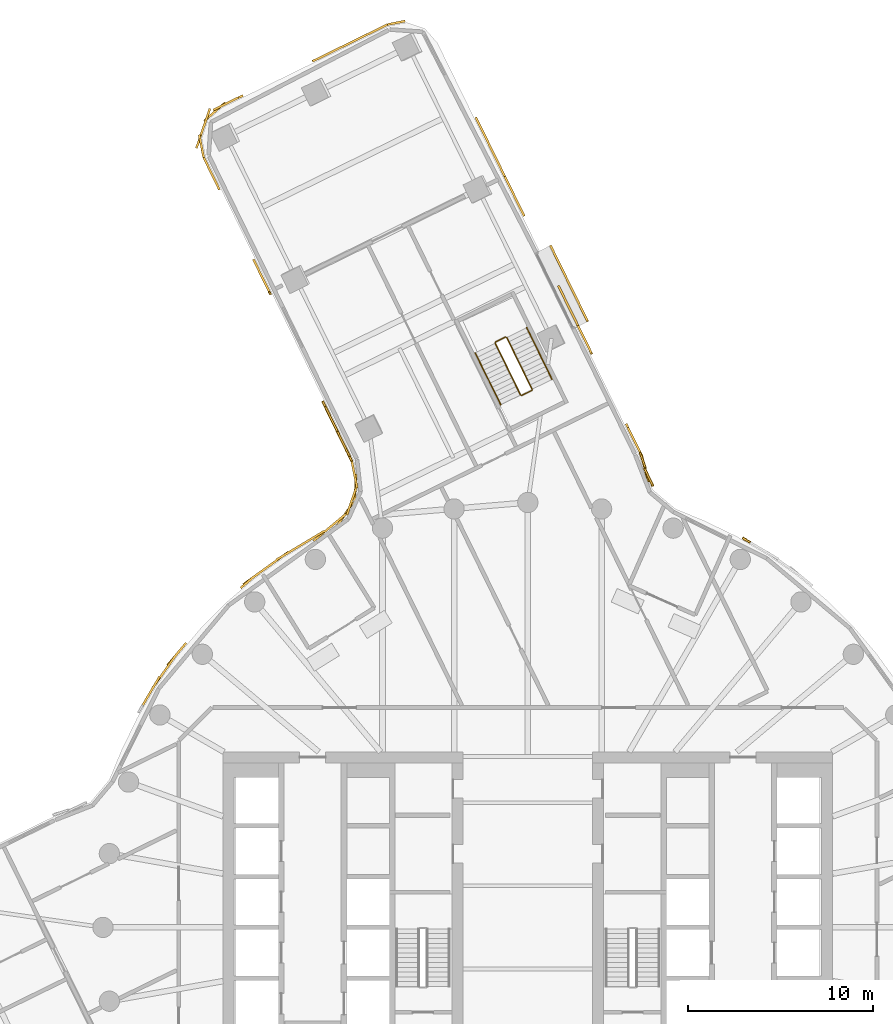
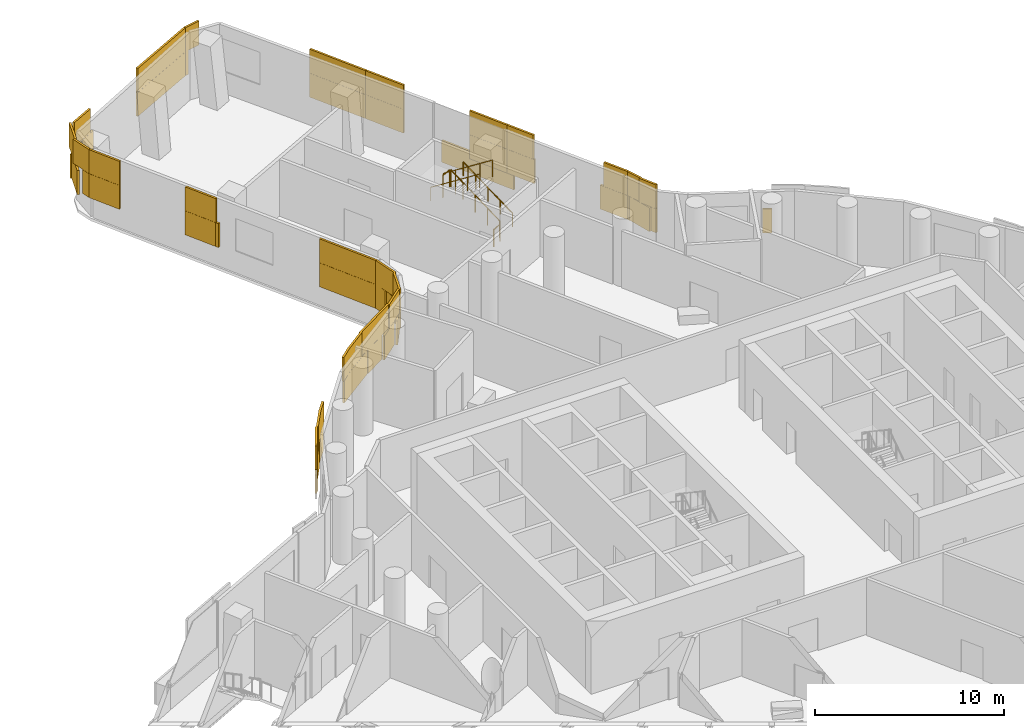
# One storey, part 21 of 23: 8 coverings, 6 railings.
"""IFC4 building model written with IfcOpenShell, lengths in metres."""

from ifc_helpers import new_model, si_unit, direction, frame, origin, origin_2d, place, context, subcontext, project, spatial, rectangle, circle, extrude, material, layer, layer_set, type_object, element, save


model = new_model("IFC4")

# Units and contexts
model_context = context("Model", 3, precision=1e-05, world=origin(), true_north=direction((0.0, 1.0)))
body_context = subcontext(model_context, "Body", "Model", "MODEL_VIEW")
ifc_project = project(units=[si_unit("LENGTHUNIT", "METRE"), si_unit("AREAUNIT", "SQUARE_METRE"), si_unit("VOLUMEUNIT", "CUBIC_METRE"), si_unit("PLANEANGLEUNIT", "RADIAN"), si_unit("MASSUNIT", "GRAM", prefix="KILO")], contexts=[model_context])

# Site, building, storey
site_placement = place(None, origin())
site = spatial("IfcSite", under=ifc_project, at=site_placement, CompositionType="ELEMENT")
building_placement = place(site_placement, origin())
building = spatial("IfcBuilding", under=site, at=building_placement, Name="Tamarind Cross Interchange Tower", CompositionType="ELEMENT")
storey_placement = place(building_placement, frame((0.0, 0.0, 128.5)))
storey = spatial("IfcBuildingStorey", under=building, at=storey_placement, Name="L31", CompositionType="ELEMENT", Elevation=128.5)

# Railings
ifc_material_1 = material(Name="Stair guard")
railing_type_1 = type_object("IfcRailingType", Name="Stair guard", PredefinedType="GUARDRAIL", material=ifc_material_1)
railing_1_placement = place(storey_placement, frame((0.234375, 29.13134765625, 0.173095703125)))
element("IfcRailing", 1, at=railing_1_placement, inside=storey, type_object=railing_type_1, Name="L31 ST4 stair guard 1", PredefinedType="GUARDRAIL", context=body_context, shape_type="SweptSolid", body=[
    extrude(circle(Radius=0.02392578125, at=origin_2d()), frame((0.0, 0.0, 1.076171875), z_axis=(-0.366513465673, 0.747421720028, 0.554101662072), x_axis=(-0.897858865074, -0.440283384207, 0.0)), (0.0, 0.0, 1.0), 3.748291015625),
    extrude(circle(Radius=0.02099609375, at=origin_2d()), origin(), (0.0, 0.0, 1.0), 1.052001953125),
    extrude(circle(Radius=0.02099609375, at=origin_2d()), frame((-0.343505859375, 0.700439453125, 0.519287109375)), (0.0, 0.0, 1.0), 1.052001953125),
    extrude(circle(Radius=0.02099609375, at=origin_2d()), frame((-0.68701171875, 1.40087890625, 1.03857421875)), (0.0, 0.0, 1.0), 1.052001953125),
    extrude(circle(Radius=0.02099609375, at=origin_2d()), frame((-1.0302734375, 2.10107421875, 1.5576171875)), (0.0, 0.0, 1.0), 1.052001953125),
    extrude(circle(Radius=0.02099609375, at=origin_2d()), frame((-1.373779296875, 2.801513671875, 2.076904296875)), (0.0, 0.0, 1.0), 1.052001953125),
])
railing_2_placement = place(storey_placement, frame((-1.206298828125, 31.955810546875, 2.25)))
element("IfcRailing", 2, at=railing_2_placement, inside=storey, type_object=railing_type_1, Name="L31 ST4 stair guard 2", PredefinedType="GUARDRAIL", context=body_context, shape_type="SweptSolid", body=[
    extrude(circle(Radius=0.02392578125, at=origin_2d()), frame((0.0, 0.0, 1.076171875), z_axis=(-0.897819771676, -0.44036309744, 0.0), x_axis=(0.44036309744, -0.897819771676, 0.0)), (0.0, 0.0, 1.0), 0.599853515625),
    extrude(circle(Radius=0.02099609375, at=origin_2d()), origin(), (0.0, 0.0, 1.0), 1.052001953125),
    extrude(circle(Radius=0.02099609375, at=origin_2d()), frame((-0.53857421875, -0.26416015625, 0.0)), (0.0, 0.0, 1.0), 1.052001953125),
])
railing_3_placement = place(storey_placement, frame((-1.767822265625, 31.624755859375, 2.423095703125)))
element("IfcRailing", 3, at=railing_3_placement, inside=storey, type_object=railing_type_1, Name="L31 ST4 stair guard 3", PredefinedType="GUARDRAIL", context=body_context, shape_type="SweptSolid", body=[
    extrude(circle(Radius=0.02392578125, at=origin_2d()), frame((0.0, 0.0, 1.076171875), z_axis=(0.366457078558, -0.747439562114, 0.554114889316), x_axis=(0.897889795051, 0.440220303874, 0.0)), (0.0, 0.0, 1.0), 3.748046875),
    extrude(circle(Radius=0.02099609375, at=origin_2d()), origin(), (0.0, 0.0, 1.0), 1.052001953125),
    extrude(circle(Radius=0.02099609375, at=origin_2d()), frame((0.34326171875, -0.700439453125, 0.519287109375)), (0.0, 0.0, 1.0), 1.052001953125),
    extrude(circle(Radius=0.02099609375, at=origin_2d()), frame((0.686767578125, -1.40087890625, 1.03857421875)), (0.0, 0.0, 1.0), 1.052001953125),
    extrude(circle(Radius=0.02099609375, at=origin_2d()), frame((1.0302734375, -2.10107421875, 1.5576171875)), (0.0, 0.0, 1.0), 1.052001953125),
    extrude(circle(Radius=0.02099609375, at=origin_2d()), frame((1.37353515625, -2.801513671875, 2.076904296875)), (0.0, 0.0, 1.0), 1.052001953125),
])
railing_4_placement = place(storey_placement, frame((0.21142578125, 29.064453125, 0.0)))
element("IfcRailing", 4, at=railing_4_placement, inside=storey, type_object=railing_type_1, Name="L31 ST4 stair guard 4", PredefinedType="GUARDRAIL", context=body_context, shape_type="SweptSolid", body=[
    extrude(circle(Radius=0.02392578125, at=origin_2d()), frame((0.0, 0.0, 1.076171875), z_axis=(-0.897898651784, -0.44020223889, 0.0), x_axis=(0.44020223889, -0.897898651784, 0.0)), (0.0, 0.0, 1.0), 0.60009765625),
    extrude(circle(Radius=0.02099609375, at=origin_2d()), origin(), (0.0, 0.0, 1.0), 1.052001953125),
    extrude(circle(Radius=0.02099609375, at=origin_2d()), frame((-0.538818359375, -0.26416015625, 0.0)), (0.0, 0.0, 1.0), 1.052001953125),
])
ifc_material_2 = material(Name="Stair handrail")
railing_type_2 = type_object("IfcRailingType", Name="Stair handrail", PredefinedType="HANDRAIL", material=ifc_material_2)
railing_5_placement = place(storey_placement, frame((1.311767578125, 29.65966796875, 0.173095703125)))
element("IfcRailing", 5, at=railing_5_placement, inside=storey, type_object=railing_type_2, Name="L31 ST4 stair handrail 1", PredefinedType="HANDRAIL", context=body_context, shape_type="SweptSolid", body=[
    extrude(circle(Radius=0.02392578125, at=origin_2d()), frame((0.0, 0.0, 0.8759765625), z_axis=(-0.366457078558, 0.747439562114, 0.554114889316), x_axis=(-0.897889795051, -0.440220303874, 0.0)), (0.0, 0.0, 1.0), 3.748046875),
    extrude(circle(Radius=0.02099609375, at=origin_2d()), origin(), (0.0, 0.0, 1.0), 0.851806640625),
    extrude(circle(Radius=0.02099609375, at=origin_2d()), frame((-0.34326171875, 0.700439453125, 0.519287109375)), (0.0, 0.0, 1.0), 0.851806640625),
    extrude(circle(Radius=0.02099609375, at=origin_2d()), frame((-0.686767578125, 1.40087890625, 1.03857421875)), (0.0, 0.0, 1.0), 0.851806640625),
    extrude(circle(Radius=0.02099609375, at=origin_2d()), frame((-1.0302734375, 2.10107421875, 1.5576171875)), (0.0, 0.0, 1.0), 0.851806640625),
    extrude(circle(Radius=0.02099609375, at=origin_2d()), frame((-1.37353515625, 2.801513671875, 2.076904296875)), (0.0, 0.0, 1.0), 0.851806640625),
])
railing_6_placement = place(storey_placement, frame((-2.84521484375, 31.096435546875, 2.423095703125)))
element("IfcRailing", 6, at=railing_6_placement, inside=storey, type_object=railing_type_2, Name="L31 ST4 stair handrail 2", PredefinedType="HANDRAIL", context=body_context, shape_type="SweptSolid", body=[
    extrude(circle(Radius=0.02392578125, at=origin_2d()), frame((0.0, 0.0, 0.8759765625), z_axis=(0.366457078558, -0.747439562114, 0.554114889316), x_axis=(0.897889795051, 0.440220303874, 0.0)), (0.0, 0.0, 1.0), 3.748046875),
    extrude(circle(Radius=0.02099609375, at=origin_2d()), origin(), (0.0, 0.0, 1.0), 0.851806640625),
    extrude(circle(Radius=0.02099609375, at=origin_2d()), frame((0.34326171875, -0.700439453125, 0.519287109375)), (0.0, 0.0, 1.0), 0.851806640625),
    extrude(circle(Radius=0.02099609375, at=origin_2d()), frame((0.686767578125, -1.40087890625, 1.03857421875)), (0.0, 0.0, 1.0), 0.851806640625),
    extrude(circle(Radius=0.02099609375, at=origin_2d()), frame((1.0302734375, -2.10107421875, 1.5576171875)), (0.0, 0.0, 1.0), 0.851806640625),
    extrude(circle(Radius=0.02099609375, at=origin_2d()), frame((1.37353515625, -2.801513671875, 2.076904296875)), (0.0, 0.0, 1.0), 0.851806640625),
])

# Coverings
ifc_material_3 = material(Name="Terracotta", Category="masonry")
ifc_layer = layer(ifc_material_3, 0.1201171875)
ifc_layer_set = layer_set([ifc_layer], Name="Terracotta")
covering_type = type_object("IfcCoveringType", Name="Terracotta baguette screen unit", PredefinedType="MOLDING", material=ifc_layer_set)
covering_1_placement = place(storey_placement, origin())
element("IfcCovering", 7, at=covering_1_placement, inside=storey, type_object=covering_type, Name="SCR-L31-10-01", PredefinedType="MOLDING", context=body_context, shape_type="SweptSolid", body=[
    extrude(rectangle(XDim=0.481201171875, YDim=0.1201171875, at=origin_2d()), frame((11.832275390625, 20.960693359375, 1.404052734375), z_axis=(0.0, 0.0, 1.0), x_axis=(-0.861248933065, 0.508183308752, 0.0)), (0.0, 0.0, 1.0), 1.5419921875),
    extrude(rectangle(XDim=0.3271484375, YDim=0.1201171875, at=origin_2d()), frame((6.70361328125, 24.02978515625, 1.404052734375), z_axis=(0.0, 0.0, 1.0), x_axis=(-0.430685201848, 0.902502219891, 0.0)), (0.0, 0.0, 1.0), 1.5419921875),
    extrude(rectangle(XDim=1.52001953125, YDim=0.1201171875, at=origin_2d()), frame((6.33837890625, 24.859375, 1.404052734375), z_axis=(0.0, 0.0, 1.0), x_axis=(-0.252867517288, 0.967500914057, 0.0)), (0.0, 0.0, 1.0), 1.5419921875),
    extrude(rectangle(XDim=0.147216796875, YDim=0.1201171875, at=origin_2d()), frame((6.1005859375, 25.64208984375, 1.404052734375), z_axis=(0.0, 0.0, 1.0), x_axis=(-0.319290123445, 0.947657014468, 0.0)), (0.0, 0.0, 1.0), 1.5419921875),
    extrude(rectangle(XDim=1.0771484375, YDim=0.1201171875, at=origin_2d()), frame((6.5419921875, 24.3681640625, 2.9541015625), z_axis=(0.0, 0.0, 1.0), x_axis=(-0.430685201848, 0.902502219891, 0.0)), (0.0, 0.0, 1.0), 1.5419921875),
    extrude(rectangle(XDim=0.897216796875, YDim=0.1201171875, at=origin_2d()), frame((6.220458984375, 25.286865234375, 2.9541015625), z_axis=(0.0, 0.0, 1.0), x_axis=(-0.319290123445, 0.947657014468, 0.0)), (0.0, 0.0, 1.0), 1.5419921875),
])
covering_2_placement = place(storey_placement, origin())
element("IfcCovering", 8, at=covering_2_placement, inside=storey, type_object=covering_type, Name="SCR-L31-11-00", PredefinedType="MOLDING", context=body_context, shape_type="SweptSolid", body=[
    extrude(rectangle(XDim=0.760009765625, YDim=0.1201171875, at=origin_2d()), frame((5.91357421875, 26.0439453125, 1.404052734375), z_axis=(0.0, 0.0, 1.0), x_axis=(-0.440252613806, 0.897873953312, 0.0)), (0.0, 0.0, 1.0), 1.5419921875),
    extrude(rectangle(XDim=0.983642578125, YDim=0.1201171875, at=origin_2d()), frame((5.5341796875, 26.817626953125, 1.404052734375), z_axis=(0.0, 0.0, 1.0), x_axis=(-0.440252613806, 0.897873953312, 0.0)), (0.0, 0.0, 1.0), 1.5419921875),
    extrude(rectangle(XDim=0.83642578125, YDim=0.1201171875, at=origin_2d()), frame((3.288818359375, 31.396728515625, 1.404052734375), z_axis=(0.0, 0.0, 1.0), x_axis=(-0.440252613806, 0.897873953312, 0.0)), (0.0, 0.0, 1.0), 1.5419921875),
    extrude(rectangle(XDim=0.9072265625, YDim=0.1201171875, at=origin_2d()), frame((2.909423828125, 32.170654296875, 1.404052734375), z_axis=(0.0, 0.0, 1.0), x_axis=(-0.440252613806, 0.897873953312, 0.0)), (0.0, 0.0, 1.0), 1.5419921875),
    extrude(rectangle(XDim=1.510009765625, YDim=0.1201171875, at=origin_2d()), frame((5.74853515625, 26.380615234375, 2.9541015625), z_axis=(0.0, 0.0, 1.0), x_axis=(-0.440252613806, 0.897873953312, 0.0)), (0.0, 0.0, 1.0), 1.5419921875),
    extrude(rectangle(XDim=1.52001953125, YDim=0.1201171875, at=origin_2d()), frame((3.10693359375, 31.767822265625, 2.9541015625), z_axis=(0.0, 0.0, 1.0), x_axis=(-0.440252613806, 0.897873953312, 0.0)), (0.0, 0.0, 1.0), 1.5419921875),
    extrude(rectangle(XDim=0.1572265625, YDim=0.1201171875, at=origin_2d()), frame((2.744384765625, 32.50732421875, 2.9541015625), z_axis=(0.0, 0.0, 1.0), x_axis=(-0.440252613806, 0.897873953312, 0.0)), (0.0, 0.0, 1.0), 1.5419921875),
    extrude(rectangle(XDim=0.040283203125, YDim=0.1201171875, at=origin_2d()), frame((3.2373046875, 32.8056640625, 0.00390625), z_axis=(0.0, 0.0, 1.0), x_axis=(-0.440252613806, 0.897873953312, 0.0)), (0.0, 0.0, 1.0), 1.39208984375),
])
covering_3_placement = place(storey_placement, origin())
element("IfcCovering", 9, at=covering_3_placement, inside=storey, type_object=covering_type, Name="SCR-L31-11-01", PredefinedType="MOLDING", context=body_context, shape_type="SweptSolid", body=[
    extrude(rectangle(XDim=0.61279296875, YDim=0.1201171875, at=origin_2d()), frame((2.579345703125, 32.843994140625, 1.404052734375), z_axis=(0.0, 0.0, 1.0), x_axis=(-0.440252613806, 0.897873953312, 0.0)), (0.0, 0.0, 1.0), 1.5419921875),
    extrude(rectangle(XDim=1.52001953125, YDim=0.1201171875, at=origin_2d()), frame((2.116455078125, 33.7880859375, 1.404052734375), z_axis=(0.0, 0.0, 1.0), x_axis=(-0.440252613806, 0.897873953312, 0.0)), (0.0, 0.0, 1.0), 1.5419921875),
    extrude(rectangle(XDim=0.310546875, YDim=0.1201171875, at=origin_2d()), frame((1.72021484375, 34.59619140625, 1.404052734375), z_axis=(0.0, 0.0, 1.0), x_axis=(-0.440252613806, 0.897873953312, 0.0)), (0.0, 0.0, 1.0), 1.5419921875),
    extrude(rectangle(XDim=1.509521484375, YDim=0.1201171875, at=origin_2d()), frame((-0.525146484375, 39.175537109375, 1.404052734375), z_axis=(0.0, 0.0, 1.0), x_axis=(-0.440252613806, 0.897873953312, 0.0)), (0.0, 0.0, 1.0), 1.5419921875),
    extrude(rectangle(XDim=0.913818359375, YDim=0.1201171875, at=origin_2d()), frame((-1.05419921875, 40.25439453125, 1.404052734375), z_axis=(0.0, 0.0, 1.0), x_axis=(-0.440252613806, 0.897873953312, 0.0)), (0.0, 0.0, 1.0), 1.5419921875),
    extrude(rectangle(XDim=1.36279296875, YDim=0.1201171875, at=origin_2d()), frame((2.414306640625, 33.1806640625, 2.9541015625), z_axis=(0.0, 0.0, 1.0), x_axis=(-0.440252613806, 0.897873953312, 0.0)), (0.0, 0.0, 1.0), 1.5419921875),
    extrude(rectangle(XDim=1.060546875, YDim=0.1201171875, at=origin_2d()), frame((1.88525390625, 34.259521484375, 2.9541015625), z_axis=(0.0, 0.0, 1.0), x_axis=(-0.440252613806, 0.897873953312, 0.0)), (0.0, 0.0, 1.0), 1.5419921875),
    extrude(rectangle(XDim=0.759521484375, YDim=0.1201171875, at=origin_2d()), frame((-0.360107421875, 38.8388671875, 2.9541015625), z_axis=(0.0, 0.0, 1.0), x_axis=(-0.440252613806, 0.897873953312, 0.0)), (0.0, 0.0, 1.0), 1.5419921875),
    extrude(rectangle(XDim=1.52001953125, YDim=0.1201171875, at=origin_2d()), frame((-0.855224609375, 39.8486328125, 2.9541015625), z_axis=(0.0, 0.0, 1.0), x_axis=(-0.440252613806, 0.897873953312, 0.0)), (0.0, 0.0, 1.0), 1.5419921875),
    extrude(rectangle(XDim=0.163818359375, YDim=0.1201171875, at=origin_2d()), frame((-1.21923828125, 40.591064453125, 2.9541015625), z_axis=(0.0, 0.0, 1.0), x_axis=(-0.440252613806, 0.897873953312, 0.0)), (0.0, 0.0, 1.0), 1.5419921875),
    extrude(rectangle(XDim=0.577880859375, YDim=0.1201171875, at=origin_2d()), frame((3.101318359375, 33.0830078125, 0.00390625), z_axis=(0.0, 0.0, 1.0), x_axis=(-0.440252613806, 0.897873953312, 0.0)), (0.0, 0.0, 1.0), 1.39208984375),
    extrude(rectangle(XDim=1.52001953125, YDim=0.1201171875, at=origin_2d()), frame((2.6484375, 34.0068359375, 0.00390625), z_axis=(0.0, 0.0, 1.0), x_axis=(-0.440252613806, 0.897873953312, 0.0)), (0.0, 0.0, 1.0), 1.39208984375),
    extrude(rectangle(XDim=1.52001953125, YDim=0.1201171875, at=origin_2d()), frame((1.988037109375, 35.353759765625, 0.00390625), z_axis=(0.0, 0.0, 1.0), x_axis=(-0.440252613806, 0.897873953312, 0.0)), (0.0, 0.0, 1.0), 1.39208984375),
    extrude(rectangle(XDim=1.00634765625, YDim=0.1201171875, at=origin_2d()), frame((1.440673828125, 36.469970703125, 0.00390625), z_axis=(0.0, 0.0, 1.0), x_axis=(-0.440252613806, 0.897873953312, 0.0)), (0.0, 0.0, 1.0), 1.39208984375),
])
covering_4_placement = place(storey_placement, origin())
element("IfcCovering", 10, at=covering_4_placement, inside=storey, type_object=covering_type, Name="SCR-L31-11-02", PredefinedType="MOLDING", context=body_context, shape_type="SweptSolid", body=[
    extrude(rectangle(XDim=0.606201171875, YDim=0.1201171875, at=origin_2d()), frame((-1.38427734375, 40.927734375, 1.404052734375), z_axis=(0.0, 0.0, 1.0), x_axis=(-0.440252613806, 0.897873953312, 0.0)), (0.0, 0.0, 1.0), 1.5419921875),
    extrude(rectangle(XDim=1.52001953125, YDim=0.1201171875, at=origin_2d()), frame((-1.845947265625, 41.868896484375, 1.404052734375), z_axis=(0.0, 0.0, 1.0), x_axis=(-0.440252613806, 0.897873953312, 0.0)), (0.0, 0.0, 1.0), 1.5419921875),
    extrude(rectangle(XDim=1.469970703125, YDim=0.1201171875, at=origin_2d()), frame((-2.497314453125, 43.19775390625, 1.404052734375), z_axis=(0.0, 0.0, 1.0), x_axis=(-0.440252613806, 0.897873953312, 0.0)), (0.0, 0.0, 1.0), 1.5419921875),
    extrude(rectangle(XDim=0.22607421875, YDim=0.1201171875, at=origin_2d()), frame((-7.488037109375, 48.892333984375, 1.404052734375), z_axis=(0.0, 0.0, 1.0), x_axis=(-0.981225401366, -0.192864490548, 0.0)), (0.0, 0.0, 1.0), 1.5419921875),
    extrude(rectangle(XDim=1.356201171875, YDim=0.1201171875, at=origin_2d()), frame((-1.549560546875, 41.264404296875, 2.9541015625), z_axis=(0.0, 0.0, 1.0), x_axis=(-0.440252613806, 0.897873953312, 0.0)), (0.0, 0.0, 1.0), 1.5419921875),
    extrude(rectangle(XDim=1.52001953125, YDim=0.1201171875, at=origin_2d()), frame((-2.176025390625, 42.542236328125, 2.9541015625), z_axis=(0.0, 0.0, 1.0), x_axis=(-0.440252613806, 0.897873953312, 0.0)), (0.0, 0.0, 1.0), 1.5419921875),
    extrude(rectangle(XDim=0.719970703125, YDim=0.1201171875, at=origin_2d()), frame((-2.662353515625, 43.534423828125, 2.9541015625), z_axis=(0.0, 0.0, 1.0), x_axis=(-0.440252613806, 0.897873953312, 0.0)), (0.0, 0.0, 1.0), 1.5419921875),
    extrude(rectangle(XDim=0.97607421875, YDim=0.1201171875, at=origin_2d()), frame((-7.1201171875, 48.964599609375, 2.9541015625), z_axis=(0.0, 0.0, 1.0), x_axis=(-0.981225401366, -0.192864490548, 0.0)), (0.0, 0.0, 1.0), 1.5419921875),
])
covering_5_placement = place(storey_placement, origin())
element("IfcCovering", 11, at=covering_5_placement, inside=storey, type_object=covering_type, Name="SCR-L31-12-00", PredefinedType="MOLDING", context=body_context, shape_type="SweptSolid", body=[
    extrude(rectangle(XDim=0.760009765625, YDim=0.1201171875, at=origin_2d()), frame((-7.9306640625, 48.70654296875, 1.404052734375), z_axis=(0.0, 0.0, 1.0), x_axis=(-0.897873953312, -0.440252613806, 0.0)), (0.0, 0.0, 1.0), 1.5419921875),
    extrude(rectangle(XDim=1.52001953125, YDim=0.1201171875, at=origin_2d()), frame((-8.940673828125, 48.211181640625, 1.404052734375), z_axis=(0.0, 0.0, 1.0), x_axis=(-0.897873953312, -0.440252613806, 0.0)), (0.0, 0.0, 1.0), 1.5419921875),
    extrude(rectangle(XDim=1.52001953125, YDim=0.1201171875, at=origin_2d()), frame((-10.28759765625, 47.55078125, 1.404052734375), z_axis=(0.0, 0.0, 1.0), x_axis=(-0.897873953312, -0.440252613806, 0.0)), (0.0, 0.0, 1.0), 1.5419921875),
    extrude(rectangle(XDim=0.784912109375, YDim=0.1201171875, at=origin_2d()), frame((-11.308837890625, 47.050048828125, 1.404052734375), z_axis=(0.0, 0.0, 1.0), x_axis=(-0.897873953312, -0.440252613806, 0.0)), (0.0, 0.0, 1.0), 1.5419921875),
    extrude(rectangle(XDim=1.03515625, YDim=0.1201171875, at=origin_2d()), frame((-15.887939453125, 44.8046875, 1.404052734375), z_axis=(0.0, 0.0, 1.0), x_axis=(-0.897873953312, -0.440252613806, 0.0)), (0.0, 0.0, 1.0), 1.5419921875),
    extrude(rectangle(XDim=1.52001953125, YDim=0.1201171875, at=origin_2d()), frame((-16.952880859375, 44.145263671875, 1.404052734375), z_axis=(0.0, 0.0, 1.0), x_axis=(-0.753333879147, -0.657638248986, 0.0)), (0.0, 0.0, 1.0), 1.5419921875),
    extrude(rectangle(XDim=1.52001953125, YDim=0.1201171875, at=origin_2d()), frame((-17.69384765625, 42.897705078125, 1.404052734375), z_axis=(0.0, 0.0, 1.0), x_axis=(-0.32358715238, -0.946198369695, 0.0)), (0.0, 0.0, 1.0), 1.5419921875),
    extrude(rectangle(XDim=0.509521484375, YDim=0.1201171875, at=origin_2d()), frame((-17.59326171875, 41.9228515625, 1.404052734375), z_axis=(0.0, 0.0, 1.0), x_axis=(0.192864490548, -0.981225401366, 0.0)), (0.0, 0.0, 1.0), 1.5419921875),
    extrude(rectangle(XDim=1.510009765625, YDim=0.1201171875, at=origin_2d()), frame((-8.267333984375, 48.541259765625, 2.9541015625), z_axis=(0.0, 0.0, 1.0), x_axis=(-0.897873953312, -0.440252613806, 0.0)), (0.0, 0.0, 1.0), 1.5419921875),
    extrude(rectangle(XDim=1.52001953125, YDim=0.1201171875, at=origin_2d()), frame((-9.6142578125, 47.881103515625, 2.9541015625), z_axis=(0.0, 0.0, 1.0), x_axis=(-0.897873953312, -0.440252613806, 0.0)), (0.0, 0.0, 1.0), 1.5419921875),
    extrude(rectangle(XDim=1.52001953125, YDim=0.1201171875, at=origin_2d()), frame((-10.9609375, 47.220703125, 2.9541015625), z_axis=(0.0, 0.0, 1.0), x_axis=(-0.897873953312, -0.440252613806, 0.0)), (0.0, 0.0, 1.0), 1.5419921875),
    extrude(rectangle(XDim=1.52001953125, YDim=0.1201171875, at=origin_2d()), frame((-16.34814453125, 44.5791015625, 2.9541015625), z_axis=(0.0, 0.0, 1.0), x_axis=(-0.897873953312, -0.440252613806, 0.0)), (0.0, 0.0, 1.0), 1.5419921875),
    extrude(rectangle(XDim=1.52001953125, YDim=0.1201171875, at=origin_2d()), frame((-17.451171875, 43.607421875, 2.9541015625), z_axis=(0.0, 0.0, 1.0), x_axis=(-0.32358715238, -0.946198369695, 0.0)), (0.0, 0.0, 1.0), 1.5419921875),
    extrude(rectangle(XDim=1.259521484375, YDim=0.1201171875, at=origin_2d()), frame((-17.66552734375, 42.291015625, 2.9541015625), z_axis=(0.0, 0.0, 1.0), x_axis=(0.192864490548, -0.981225401366, 0.0)), (0.0, 0.0, 1.0), 1.5419921875),
])
covering_6_placement = place(storey_placement, origin())
element("IfcCovering", 12, at=covering_6_placement, inside=storey, type_object=covering_type, Name="SCR-L31-13-00", PredefinedType="MOLDING", context=body_context, shape_type="SweptSolid", body=[
    extrude(rectangle(XDim=0.760009765625, YDim=0.1201171875, at=origin_2d()), frame((-17.380615234375, 41.3408203125, 1.404052734375), z_axis=(0.0, 0.0, 1.0), x_axis=(0.438582979909, -0.898690697479, 0.0)), (0.0, 0.0, 1.0), 1.5419921875),
    extrude(rectangle(XDim=1.2001953125, YDim=0.1201171875, at=origin_2d()), frame((-16.955078125, 40.468994140625, 1.404052734375), z_axis=(0.0, 0.0, 1.0), x_axis=(0.438582979909, -0.898690697479, 0.0)), (0.0, 0.0, 1.0), 1.5419921875),
    extrude(rectangle(XDim=0.619873046875, YDim=0.1201171875, at=origin_2d()), frame((-14.71826171875, 35.8857421875, 1.404052734375), z_axis=(0.0, 0.0, 1.0), x_axis=(0.438582979909, -0.898690697479, 0.0)), (0.0, 0.0, 1.0), 1.5419921875),
    extrude(rectangle(XDim=1.340576171875, YDim=0.1201171875, at=origin_2d()), frame((-14.292724609375, 35.013916015625, 1.404052734375), z_axis=(0.0, 0.0, 1.0), x_axis=(0.438582979909, -0.898690697479, 0.0)), (0.0, 0.0, 1.0), 1.5419921875),
    extrude(rectangle(XDim=1.510009765625, YDim=0.1201171875, at=origin_2d()), frame((-17.216064453125, 41.00390625, 2.9541015625), z_axis=(0.0, 0.0, 1.0), x_axis=(0.438582979909, -0.898690697479, 0.0)), (0.0, 0.0, 1.0), 1.5419921875),
    extrude(rectangle(XDim=0.4501953125, YDim=0.1201171875, at=origin_2d()), frame((-16.79052734375, 40.132080078125, 2.9541015625), z_axis=(0.0, 0.0, 1.0), x_axis=(0.438582979909, -0.898690697479, 0.0)), (0.0, 0.0, 1.0), 1.5419921875),
    extrude(rectangle(XDim=1.369873046875, YDim=0.1201171875, at=origin_2d()), frame((-14.5537109375, 35.548583984375, 2.9541015625), z_axis=(0.0, 0.0, 1.0), x_axis=(0.438582979909, -0.898690697479, 0.0)), (0.0, 0.0, 1.0), 1.5419921875),
    extrude(rectangle(XDim=0.590576171875, YDim=0.1201171875, at=origin_2d()), frame((-14.12841796875, 34.6767578125, 2.9541015625), z_axis=(0.0, 0.0, 1.0), x_axis=(0.438582979909, -0.898690697479, 0.0)), (0.0, 0.0, 1.0), 1.5419921875),
])
covering_7_placement = place(storey_placement, origin())
element("IfcCovering", 13, at=covering_7_placement, inside=storey, type_object=covering_type, Name="SCR-L31-13-01", PredefinedType="MOLDING", context=body_context, shape_type="SweptSolid", body=[
    extrude(rectangle(XDim=0.179443359375, YDim=0.1201171875, at=origin_2d()), frame((-13.9638671875, 34.33984375, 1.404052734375), z_axis=(0.0, 0.0, 1.0), x_axis=(0.438582979909, -0.898690697479, 0.0)), (0.0, 0.0, 1.0), 1.5419921875),
    extrude(rectangle(XDim=1.07958984375, YDim=0.1201171875, at=origin_2d()), frame((-10.871826171875, 28.004150390625, 1.404052734375), z_axis=(0.0, 0.0, 1.0), x_axis=(0.438582979909, -0.898690697479, 0.0)), (0.0, 0.0, 1.0), 1.5419921875),
    extrude(rectangle(XDim=1.52001953125, YDim=0.1201171875, at=origin_2d()), frame((-10.308349609375, 26.849365234375, 1.404052734375), z_axis=(0.0, 0.0, 1.0), x_axis=(0.438582979909, -0.898690697479, 0.0)), (0.0, 0.0, 1.0), 1.5419921875),
    extrude(rectangle(XDim=1.04052734375, YDim=0.1201171875, at=origin_2d()), frame((-9.75341796875, 25.71240234375, 1.404052734375), z_axis=(0.0, 0.0, 1.0), x_axis=(0.438582979909, -0.898690697479, 0.0)), (0.0, 0.0, 1.0), 1.5419921875),
    extrude(rectangle(XDim=0.32958984375, YDim=0.1201171875, at=origin_2d()), frame((-11.036376953125, 28.341064453125, 2.9541015625), z_axis=(0.0, 0.0, 1.0), x_axis=(0.438582979909, -0.898690697479, 0.0)), (0.0, 0.0, 1.0), 1.5419921875),
    extrude(rectangle(XDim=1.52001953125, YDim=0.1201171875, at=origin_2d()), frame((-10.63720703125, 27.5234375, 2.9541015625), z_axis=(0.0, 0.0, 1.0), x_axis=(0.438582979909, -0.898690697479, 0.0)), (0.0, 0.0, 1.0), 1.5419921875),
    extrude(rectangle(XDim=1.52001953125, YDim=0.1201171875, at=origin_2d()), frame((-9.9794921875, 26.175537109375, 2.9541015625), z_axis=(0.0, 0.0, 1.0), x_axis=(0.438582979909, -0.898690697479, 0.0)), (0.0, 0.0, 1.0), 1.5419921875),
    extrude(rectangle(XDim=0.29052734375, YDim=0.1201171875, at=origin_2d()), frame((-9.5888671875, 25.375244140625, 2.9541015625), z_axis=(0.0, 0.0, 1.0), x_axis=(0.438582979909, -0.898690697479, 0.0)), (0.0, 0.0, 1.0), 1.5419921875),
])
covering_8_placement = place(storey_placement, origin())
element("IfcCovering", 14, at=covering_8_placement, inside=storey, type_object=covering_type, Name="SCR-L31-14-00", PredefinedType="MOLDING", context=body_context, shape_type="SweptSolid", body=[
    extrude(rectangle(XDim=0.760009765625, YDim=0.1201171875, at=origin_2d()), frame((-9.455078125, 24.88134765625, 1.404052734375), z_axis=(0.0, 0.0, 1.0), x_axis=(0.192672199254, -0.98126317756, 0.0)), (0.0, 0.0, 1.0), 1.5419921875),
    extrude(rectangle(XDim=1.52001953125, YDim=0.1201171875, at=origin_2d()), frame((-9.33349609375, 23.771484375, 1.404052734375), z_axis=(0.0, 0.0, 1.0), x_axis=(-0.068058059063, -0.997681362258, 0.0)), (0.0, 0.0, 1.0), 1.5419921875),
    extrude(rectangle(XDim=1.52001953125, YDim=0.1201171875, at=origin_2d()), frame((-9.87646484375, 22.3896484375, 1.404052734375), z_axis=(0.0, 0.0, 1.0), x_axis=(-0.55810594669, -0.829769698331, 0.0)), (0.0, 0.0, 1.0), 1.5419921875),
    extrude(rectangle(XDim=1.52001953125, YDim=0.1201171875, at=origin_2d()), frame((-11.0078125, 21.4111328125, 1.404052734375), z_axis=(0.0, 0.0, 1.0), x_axis=(-0.76950568161, -0.638639965842, 0.0)), (0.0, 0.0, 1.0), 1.5419921875),
    extrude(rectangle(XDim=1.52001953125, YDim=0.1201171875, at=origin_2d()), frame((-12.314453125, 20.67626953125, 1.404052734375), z_axis=(0.0, 0.0, 1.0), x_axis=(-0.856843065292, -0.515577308909, 0.0)), (0.0, 0.0, 1.0), 1.5419921875),
    extrude(rectangle(XDim=1.52001953125, YDim=0.1201171875, at=origin_2d()), frame((-13.581787109375, 19.875732421875, 1.404052734375), z_axis=(0.0, 0.0, 1.0), x_axis=(-0.811340475102, -0.584573890505, 0.0)), (0.0, 0.0, 1.0), 1.5419921875),
    extrude(rectangle(XDim=1.52001953125, YDim=0.1201171875, at=origin_2d()), frame((-14.798583984375, 18.998779296875, 1.404052734375), z_axis=(0.0, 0.0, 1.0), x_axis=(-0.811340475102, -0.584573890505, 0.0)), (0.0, 0.0, 1.0), 1.5419921875),
    extrude(rectangle(XDim=1.52001953125, YDim=0.1201171875, at=origin_2d()), frame((-19.027587890625, 14.76318359375, 1.404052734375), z_axis=(0.0, 0.0, 1.0), x_axis=(-0.643009266048, -0.765858396687, 0.0)), (0.0, 0.0, 1.0), 1.5419921875),
    extrude(rectangle(XDim=1.52001953125, YDim=0.1201171875, at=origin_2d()), frame((-19.8984375, 13.542236328125, 1.404052734375), z_axis=(0.0, 0.0, 1.0), x_axis=(-0.577568978284, -0.816341886298, 0.0)), (0.0, 0.0, 1.0), 1.5419921875),
    extrude(rectangle(XDim=1.038818359375, YDim=0.1201171875, at=origin_2d()), frame((-20.57958984375, 12.478271484375, 1.404052734375), z_axis=(0.0, 0.0, 1.0), x_axis=(-0.508183308752, -0.861248933065, 0.0)), (0.0, 0.0, 1.0), 1.5419921875),
    extrude(rectangle(XDim=1.510009765625, YDim=0.1201171875, at=origin_2d()), frame((-9.383056640625, 24.51318359375, 2.9541015625), z_axis=(0.0, 0.0, 1.0), x_axis=(0.192672199254, -0.98126317756, 0.0)), (0.0, 0.0, 1.0), 1.5419921875),
    extrude(rectangle(XDim=1.52001953125, YDim=0.1201171875, at=origin_2d()), frame((-9.54541015625, 23.0556640625, 2.9541015625), z_axis=(0.0, 0.0, 1.0), x_axis=(-0.324143366817, -0.946007969178, 0.0)), (0.0, 0.0, 1.0), 1.5419921875),
    extrude(rectangle(XDim=1.52001953125, YDim=0.1201171875, at=origin_2d()), frame((-10.4306640625, 21.89013671875, 2.9541015625), z_axis=(0.0, 0.0, 1.0), x_axis=(-0.76950568161, -0.638639965842, 0.0)), (0.0, 0.0, 1.0), 1.5419921875),
    extrude(rectangle(XDim=1.52001953125, YDim=0.1201171875, at=origin_2d()), frame((-11.671875, 21.06298828125, 2.9541015625), z_axis=(0.0, 0.0, 1.0), x_axis=(-0.856843065292, -0.515577308909, 0.0)), (0.0, 0.0, 1.0), 1.5419921875),
    extrude(rectangle(XDim=1.52001953125, YDim=0.1201171875, at=origin_2d()), frame((-12.95703125, 20.289794921875, 2.9541015625), z_axis=(0.0, 0.0, 1.0), x_axis=(-0.856843065292, -0.515577308909, 0.0)), (0.0, 0.0, 1.0), 1.5419921875),
    extrude(rectangle(XDim=1.52001953125, YDim=0.1201171875, at=origin_2d()), frame((-14.190185546875, 19.437255859375, 2.9541015625), z_axis=(0.0, 0.0, 1.0), x_axis=(-0.811340475102, -0.584573890505, 0.0)), (0.0, 0.0, 1.0), 1.5419921875),
    extrude(rectangle(XDim=0.9814453125, YDim=0.1201171875, at=origin_2d()), frame((-15.1728515625, 18.689453125, 2.9541015625), z_axis=(0.0, 0.0, 1.0), x_axis=(-0.760295606781, -0.64957723968, 0.0)), (0.0, 0.0, 1.0), 1.5419921875),
    extrude(rectangle(XDim=0.838623046875, YDim=0.1201171875, at=origin_2d()), frame((-18.76123046875, 15.08056640625, 2.9541015625), z_axis=(0.0, 0.0, 1.0), x_axis=(-0.643009266048, -0.765858396687, 0.0)), (0.0, 0.0, 1.0), 1.5419921875),
    extrude(rectangle(XDim=1.52001953125, YDim=0.1201171875, at=origin_2d()), frame((-19.46533203125, 14.154296875, 2.9541015625), z_axis=(0.0, 0.0, 1.0), x_axis=(-0.577568978284, -0.816341886298, 0.0)), (0.0, 0.0, 1.0), 1.5419921875),
    extrude(rectangle(XDim=1.52001953125, YDim=0.1201171875, at=origin_2d()), frame((-20.318359375, 12.921142578125, 2.9541015625), z_axis=(0.0, 0.0, 1.0), x_axis=(-0.508183308752, -0.861248933065, 0.0)), (0.0, 0.0, 1.0), 1.5419921875),
    extrude(rectangle(XDim=0.288818359375, YDim=0.1201171875, at=origin_2d()), frame((-20.770263671875, 12.1552734375, 2.9541015625), z_axis=(0.0, 0.0, 1.0), x_axis=(-0.508183308752, -0.861248933065, 0.0)), (0.0, 0.0, 1.0), 1.5419921875),
])

save(model, "model.ifc")
